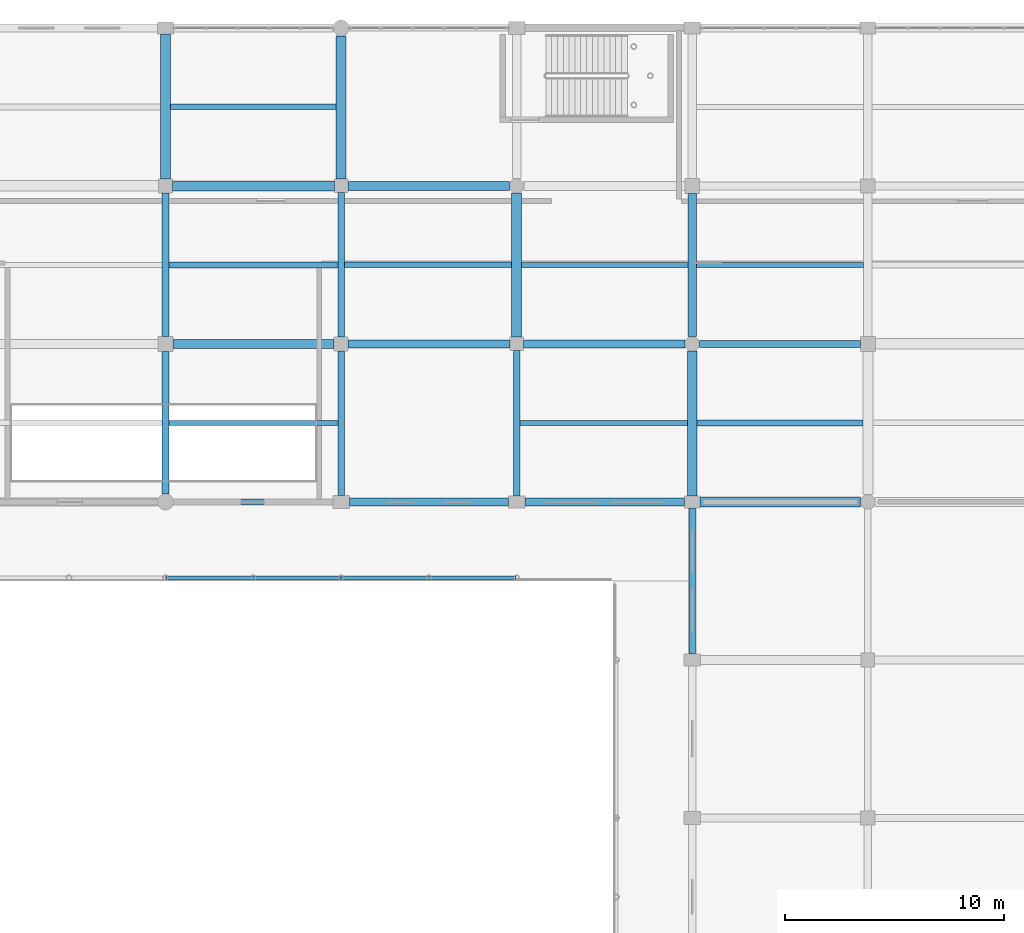
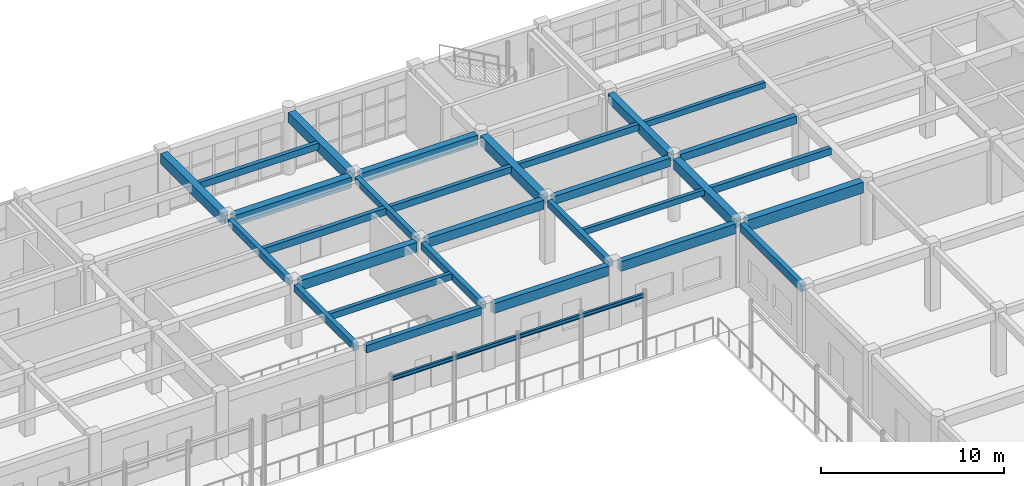
# One storey, part 101 of 160: 31 beams.
"""IFC4 building model written with IfcOpenShell, lengths in metres."""

from ifc_helpers import new_model, si_unit, direction, frame, origin, origin_2d, place, context, subcontext, project, spatial, rectangle, i_section, extrude, material, material_profile, profile_set, type_object, element, save


model = new_model("IFC4")

# Units and contexts
model_context = context("Model", 3, precision=1e-05, world=origin(), true_north=direction((0.0, 1.0)))
body_context = subcontext(model_context, "Body", "Model", "MODEL_VIEW")
ifc_project = project(units=[si_unit("LENGTHUNIT", "METRE"), si_unit("AREAUNIT", "SQUARE_METRE"), si_unit("VOLUMEUNIT", "CUBIC_METRE"), si_unit("PLANEANGLEUNIT", "RADIAN"), si_unit("MASSUNIT", "GRAM", prefix="KILO")], contexts=[model_context])

# Site, building, storey
site_placement = place(None, origin())
site = spatial("IfcSite", under=ifc_project, at=site_placement, CompositionType="ELEMENT")
building_placement = place(site_placement, origin())
building = spatial("IfcBuilding", under=site, at=building_placement, Name="Kharva Crest Polytechnic", CompositionType="ELEMENT")
storey_placement = place(building_placement, frame((0.0, 0.0, 4.5)))
storey = spatial("IfcBuildingStorey", under=building, at=storey_placement, Name="L01", CompositionType="ELEMENT", Elevation=4.5)

# Beams
ifc_material_1 = material(Name="Concrete C35/45", Category="concrete")
ifc_material_profile_1 = material_profile(ifc_material_1, rectangle(XDim=0.300048828125, YDim=0.449951171875, at=origin_2d()), Name="RECT 300 X 450")
ifc_profile_set_1 = profile_set([ifc_material_profile_1], Name="Concrete C35/45")
beam_type_1 = type_object("IfcBeamType", Name="BM-RC-300X450", PredefinedType="BEAM", material=ifc_profile_set_1)
beam_1_placement = place(storey_placement, frame((128.800048828125, 107.93994140625, 3.9951171875), z_axis=(0.0, 1.0, 0.0), x_axis=(-1.0, 0.0, 0.0)))
element("IfcBeam", 1, at=beam_1_placement, inside=storey, type_object=beam_type_1, Name="L01 Girder 17/Q-R", PredefinedType="BEAM", context=body_context, shape_type="SweptSolid", body=[
    extrude(rectangle(XDim=0.300048828125, YDim=0.449951171875, at=origin_2d()), origin(), (0.0, 0.0, 1.0), 6.53515625),
])
beam_2_placement = place(storey_placement, frame((136.800048828125, 107.925048828125, 3.9951171875), z_axis=(0.0, 1.0, 0.0), x_axis=(-1.0, 0.0, 0.0)))
element("IfcBeam", 2, at=beam_2_placement, inside=storey, type_object=beam_type_1, Name="L01 Girder 18/Q-R", PredefinedType="BEAM", context=body_context, shape_type="SweptSolid", body=[
    extrude(rectangle(XDim=0.300048828125, YDim=0.449951171875, at=origin_2d()), origin(), (0.0, 0.0, 1.0), 6.56494140625),
])
beam_3_placement = place(storey_placement, frame((144.800048828125, 100.675048828125, 3.9951171875), z_axis=(0.0, 1.0, 0.0), x_axis=(-1.0, 0.0, 0.0)))
element("IfcBeam", 3, at=beam_3_placement, inside=storey, type_object=beam_type_1, Name="L01 Girder 19/P-Q", PredefinedType="BEAM", context=body_context, shape_type="SweptSolid", body=[
    extrude(rectangle(XDim=0.300048828125, YDim=0.449951171875, at=origin_2d()), origin(), (0.0, 0.0, 1.0), 6.614990234375),
])
ifc_material_profile_2 = material_profile(ifc_material_1, rectangle(XDim=0.300048828125, YDim=0.47998046875, at=origin_2d()), Name="RECT 300 X 480")
ifc_profile_set_2 = profile_set([ifc_material_profile_2], Name="Concrete C35/45")
beam_type_2 = type_object("IfcBeamType", Name="BM-RC-300X480", PredefinedType="BEAM", material=ifc_profile_set_2)
beam_4_placement = place(storey_placement, frame((128.800048828125, 100.760009765625, 3.97998046875), z_axis=(0.0, 1.0, 0.0), x_axis=(-1.0, 0.0, 0.0)))
element("IfcBeam", 4, at=beam_4_placement, inside=storey, type_object=beam_type_2, Name="L01 Girder 17/P-Q", PredefinedType="BEAM", context=body_context, shape_type="SweptSolid", body=[
    extrude(rectangle(XDim=0.300048828125, YDim=0.47998046875, at=origin_2d()), origin(), (0.0, 0.0, 1.0), 6.5),
])
beam_5_placement = place(storey_placement, frame((136.800048828125, 100.699951171875, 3.97998046875), z_axis=(0.0, 1.0, 0.0), x_axis=(-1.0, 0.0, 0.0)))
element("IfcBeam", 5, at=beam_5_placement, inside=storey, type_object=beam_type_2, Name="L01 Girder 18/P-Q", PredefinedType="BEAM", context=body_context, shape_type="SweptSolid", body=[
    extrude(rectangle(XDim=0.300048828125, YDim=0.47998046875, at=origin_2d()), origin(), (0.0, 0.0, 1.0), 6.574951171875),
])
ifc_material_profile_3 = material_profile(ifc_material_1, rectangle(XDim=0.320068359375, YDim=0.5, at=origin_2d()), Name="RECT 320 X 500")
ifc_profile_set_3 = profile_set([ifc_material_profile_3], Name="Concrete C35/45")
beam_type_3 = type_object("IfcBeamType", Name="BM-RC-320X500", PredefinedType="BEAM", material=ifc_profile_set_3)
beam_6_placement = place(storey_placement, frame((153.1298828125, 107.60009765625, 3.969970703125), z_axis=(1.0, 0.0, 0.0), x_axis=(0.0, 1.0, 0.0)))
element("IfcBeam", 6, at=beam_6_placement, inside=storey, type_object=beam_type_3, Name="L01 Beam Q/20-21", PredefinedType="BEAM", context=body_context, shape_type="SweptSolid", body=[
    extrude(rectangle(XDim=0.320068359375, YDim=0.5, at=origin_2d()), origin(), (0.0, 0.0, 1.0), 7.330078125),
])
ifc_material_profile_4 = material_profile(ifc_material_1, rectangle(XDim=0.35009765625, YDim=0.550048828125, at=origin_2d()), Name="RECT 350 X 550")
ifc_profile_set_4 = profile_set([ifc_material_profile_4], Name="Concrete C35/45")
beam_type_4 = type_object("IfcBeamType", Name="BM-RC-350X550", PredefinedType="BEAM", material=ifc_profile_set_4)
beam_7_placement = place(storey_placement, frame((145.110107421875, 107.60009765625, 3.945068359375), z_axis=(1.0, 0.0, 0.0), x_axis=(0.0, 1.0, 0.0)))
element("IfcBeam", 7, at=beam_7_placement, inside=storey, type_object=beam_type_4, Name="L01 Beam Q/19-20", PredefinedType="BEAM", context=body_context, shape_type="SweptSolid", body=[
    extrude(rectangle(XDim=0.35009765625, YDim=0.550048828125, at=origin_2d()), origin(), (0.0, 0.0, 1.0), 7.35986328125),
])
ifc_material_profile_5 = material_profile(ifc_material_1, rectangle(XDim=0.3798828125, YDim=0.60009765625, at=origin_2d()), Name="RECT 380 X 600")
ifc_profile_set_5 = profile_set([ifc_material_profile_5], Name="Concrete C35/45")
beam_type_5 = type_object("IfcBeamType", Name="BM-RC-380X600", PredefinedType="BEAM", material=ifc_profile_set_5)
beam_8_placement = place(storey_placement, frame((137.125, 107.60009765625, 3.919921875), z_axis=(1.0, 0.0, 0.0), x_axis=(0.0, 1.0, 0.0)))
element("IfcBeam", 8, at=beam_8_placement, inside=storey, type_object=beam_type_5, Name="L01 Beam Q/18-19", PredefinedType="BEAM", context=body_context, shape_type="SweptSolid", body=[
    extrude(rectangle(XDim=0.3798828125, YDim=0.60009765625, at=origin_2d()), origin(), (0.0, 0.0, 1.0), 7.364990234375),
])
ifc_material_profile_6 = material_profile(ifc_material_1, rectangle(XDim=0.39990234375, YDim=0.6201171875, at=origin_2d()), Name="RECT 400 X 620")
ifc_profile_set_6 = profile_set([ifc_material_profile_6], Name="Concrete C35/45")
beam_type_6 = type_object("IfcBeamType", Name="BM-RC-400X620", PredefinedType="BEAM", material=ifc_profile_set_6)
beam_9_placement = place(storey_placement, frame((152.800048828125, 107.929931640625, 3.909912109375), z_axis=(0.0, 1.0, 0.0), x_axis=(-1.0, 0.0, 0.0)))
element("IfcBeam", 9, at=beam_9_placement, inside=storey, type_object=beam_type_6, Name="L01 Girder 20/Q-R", PredefinedType="BEAM", context=body_context, shape_type="SweptSolid", body=[
    extrude(rectangle(XDim=0.39990234375, YDim=0.6201171875, at=origin_2d()), origin(), (0.0, 0.0, 1.0), 6.530029296875),
])
ifc_material_profile_7 = material_profile(ifc_material_1, rectangle(XDim=0.39990234375, YDim=0.64990234375, at=origin_2d()), Name="RECT 400 X 650")
ifc_profile_set_7 = profile_set([ifc_material_profile_7], Name="Concrete C35/45")
beam_type_7 = type_object("IfcBeamType", Name="BM-RC-400X650", PredefinedType="BEAM", material=ifc_profile_set_7)
beam_10_placement = place(storey_placement, frame((129.139892578125, 107.60009765625, 3.89501953125), z_axis=(1.0, 0.0, 0.0), x_axis=(0.0, 1.0, 0.0)))
element("IfcBeam", 10, at=beam_10_placement, inside=storey, type_object=beam_type_7, Name="L01 Beam Q/17-18", PredefinedType="BEAM", context=body_context, shape_type="SweptSolid", body=[
    extrude(rectangle(XDim=0.39990234375, YDim=0.64990234375, at=origin_2d()), origin(), (0.0, 0.0, 1.0), 7.335205078125),
])
ifc_material_profile_8 = material_profile(ifc_material_1, rectangle(XDim=0.419921875, YDim=0.659912109375, at=origin_2d()), Name="RECT 420 X 660")
ifc_profile_set_8 = profile_set([ifc_material_profile_8], Name="Concrete C35/45")
beam_type_8 = type_object("IfcBeamType", Name="BM-RC-420X660", PredefinedType="BEAM", material=ifc_profile_set_8)
beam_11_placement = place(storey_placement, frame((137.110107421875, 114.800048828125, 3.889892578125), z_axis=(1.0, 0.0, 0.0), x_axis=(0.0, 1.0, 0.0)))
element("IfcBeam", 11, at=beam_11_placement, inside=storey, type_object=beam_type_8, Name="L01 Beam R/18-19", PredefinedType="BEAM", context=body_context, shape_type="SweptSolid", body=[
    extrude(rectangle(XDim=0.419921875, YDim=0.659912109375, at=origin_2d()), origin(), (0.0, 0.0, 1.0), 7.35986328125),
])
ifc_material_profile_9 = material_profile(ifc_material_1, rectangle(XDim=0.449951171875, YDim=0.679931640625, at=origin_2d()), Name="RECT 450 X 680")
ifc_profile_set_9 = profile_set([ifc_material_profile_9], Name="Concrete C35/45")
beam_type_9 = type_object("IfcBeamType", Name="BM-RC-450X680", PredefinedType="BEAM", material=ifc_profile_set_9)
beam_12_placement = place(storey_placement, frame((128.800048828125, 115.125, 3.8798828125), z_axis=(0.0, 1.0, 0.0), x_axis=(-1.0, 0.0, 0.0)))
element("IfcBeam", 12, at=beam_12_placement, inside=storey, type_object=beam_type_9, Name="L01 Girder 17/R-S", PredefinedType="BEAM", context=body_context, shape_type="SweptSolid", body=[
    extrude(rectangle(XDim=0.449951171875, YDim=0.679931640625, at=origin_2d()), origin(), (0.0, 0.0, 1.0), 6.60009765625),
])
beam_13_placement = place(storey_placement, frame((136.800048828125, 115.110107421875, 3.8798828125), z_axis=(0.0, 1.0, 0.0), x_axis=(-1.0, 0.0, 0.0)))
element("IfcBeam", 13, at=beam_13_placement, inside=storey, type_object=beam_type_9, Name="L01 Girder 18/R-S", PredefinedType="BEAM", context=body_context, shape_type="SweptSolid", body=[
    extrude(rectangle(XDim=0.449951171875, YDim=0.679931640625, at=origin_2d()), origin(), (0.0, 0.0, 1.0), 6.52978515625),
])
beam_14_placement = place(storey_placement, frame((144.800048828125, 107.909912109375, 3.8798828125), z_axis=(0.0, 1.0, 0.0), x_axis=(-1.0, 0.0, 0.0)))
element("IfcBeam", 14, at=beam_14_placement, inside=storey, type_object=beam_type_9, Name="L01 Girder 19/Q-R", PredefinedType="BEAM", context=body_context, shape_type="SweptSolid", body=[
    extrude(rectangle(XDim=0.449951171875, YDim=0.679931640625, at=origin_2d()), origin(), (0.0, 0.0, 1.0), 6.56005859375),
])
beam_15_placement = place(storey_placement, frame((152.800048828125, 100.675048828125, 3.8798828125), z_axis=(0.0, 1.0, 0.0), x_axis=(-1.0, 0.0, 0.0)))
element("IfcBeam", 15, at=beam_15_placement, inside=storey, type_object=beam_type_9, Name="L01 Girder 20/P-Q", PredefinedType="BEAM", context=body_context, shape_type="SweptSolid", body=[
    extrude(rectangle(XDim=0.449951171875, YDim=0.679931640625, at=origin_2d()), origin(), (0.0, 0.0, 1.0), 6.594970703125),
])
ifc_material_profile_10 = material_profile(ifc_material_1, rectangle(XDim=0.449951171875, YDim=0.719970703125, at=origin_2d()), Name="RECT 450 X 720")
ifc_profile_set_10 = profile_set([ifc_material_profile_10], Name="Concrete C35/45")
beam_type_10 = type_object("IfcBeamType", Name="BM-RC-450X720", PredefinedType="BEAM", material=ifc_profile_set_10)
beam_16_placement = place(storey_placement, frame((153.159912109375, 100.39990234375, 3.860107421875), z_axis=(1.0, 0.0, 0.0), x_axis=(0.0, 1.0, 0.0)))
element("IfcBeam", 16, at=beam_16_placement, inside=storey, type_object=beam_type_10, Name="L01 Beam P/20-21", PredefinedType="BEAM", context=body_context, shape_type="SweptSolid", body=[
    extrude(rectangle(XDim=0.449951171875, YDim=0.719970703125, at=origin_2d()), origin(), (0.0, 0.0, 1.0), 7.31005859375),
])
beam_17_placement = place(storey_placement, frame((129.125, 114.800048828125, 3.860107421875), z_axis=(1.0, 0.0, 0.0), x_axis=(0.0, 1.0, 0.0)))
element("IfcBeam", 17, at=beam_17_placement, inside=storey, type_object=beam_type_10, Name="L01 Beam R/17-18", PredefinedType="BEAM", context=body_context, shape_type="SweptSolid", body=[
    extrude(rectangle(XDim=0.449951171875, YDim=0.719970703125, at=origin_2d()), origin(), (0.0, 0.0, 1.0), 7.364990234375),
])
ifc_material_2 = material(Name="Steel S355", Category="steel")
ifc_material_profile_11 = material_profile(ifc_material_2, i_section(OverallWidth=0.14794921875, OverallDepth=0.26611328125, WebThickness=0.007568359375, FlangeThickness=0.012939453125, at=origin_2d()), Name="W250X44.8")
ifc_profile_set_11 = profile_set([ifc_material_profile_11], Name="Steel S355")
beam_type_11 = type_object("IfcBeamType", Name="BM-STL-W250X44", PredefinedType="SPANDREL", material=ifc_profile_set_11)
for number, where, z_axis, x_axis, name in (
    (18, (128.820068359375, 96.949951171875, 4.156982421875), (1.0, 0.0, 0.0), (0.0, 1.0, 0.0), "L01 North Veranda Beam 11"),
    (19, (136.820068359375, 96.949951171875, 4.156982421875), (1.0, 0.0, 0.0), (0.0, 1.0, 0.0), "L01 North Veranda Beam 12"),
):
    element("IfcBeam", number, at=place(storey_placement, frame(where, z_axis=z_axis, x_axis=x_axis)), inside=storey, type_object=beam_type_11, Name=name, PredefinedType="SPANDREL", context=body_context, shape_type="SweptSolid", body=[
        extrude(i_section(OverallWidth=0.14794921875, OverallDepth=0.26611328125, WebThickness=0.007568359375, FlangeThickness=0.012939453125, at=origin_2d()), origin(), (0.0, 0.0, 1.0), 7.9599609375),
    ])
ifc_material_profile_12 = material_profile(ifc_material_1, rectangle(XDim=0.219970703125, YDim=0.3798828125, at=origin_2d()), Name="RECT 220 X 380")
ifc_profile_set_12 = profile_set([ifc_material_profile_12], Name="Concrete C35/45")
beam_type_12 = type_object("IfcBeamType", Name="JS-RC-220X380", PredefinedType="JOIST", material=ifc_profile_set_12)
beam_18_placement = place(storey_placement, frame((144.949951171875, 104.0, 4.030029296875), z_axis=(1.0, 0.0, 0.0), x_axis=(0.0, 1.0, 0.0)))
element("IfcBeam", 20, at=beam_18_placement, inside=storey, type_object=beam_type_12, Name="L01 Floor Joist 21", PredefinedType="JOIST", context=body_context, shape_type="SweptSolid", body=[
    extrude(rectangle(XDim=0.219970703125, YDim=0.3798828125, at=origin_2d()), origin(), (0.0, 0.0, 1.0), 7.625),
])
beam_19_placement = place(storey_placement, frame((153.0, 111.199951171875, 4.030029296875), z_axis=(1.0, 0.0, 0.0), x_axis=(0.0, 1.0, 0.0)))
element("IfcBeam", 21, at=beam_19_placement, inside=storey, type_object=beam_type_12, Name="L01 Floor Joist 41", PredefinedType="JOIST", context=body_context, shape_type="SweptSolid", body=[
    extrude(rectangle(XDim=0.219970703125, YDim=0.3798828125, at=origin_2d()), origin(), (0.0, 0.0, 1.0), 7.60009765625),
])
ifc_material_profile_13 = material_profile(ifc_material_1, rectangle(XDim=0.239990234375, YDim=0.419921875, at=origin_2d()), Name="RECT 240 X 420")
ifc_profile_set_13 = profile_set([ifc_material_profile_13], Name="Concrete C35/45")
beam_type_13 = type_object("IfcBeamType", Name="JS-RC-240X420", PredefinedType="JOIST", material=ifc_profile_set_13)
beam_20_placement = place(storey_placement, frame((128.949951171875, 104.0, 4.010009765625), z_axis=(1.0, 0.0, 0.0), x_axis=(0.0, 1.0, 0.0)))
element("IfcBeam", 22, at=beam_20_placement, inside=storey, type_object=beam_type_13, Name="L01 Floor Joist 20", PredefinedType="JOIST", context=body_context, shape_type="SweptSolid", body=[
    extrude(rectangle(XDim=0.239990234375, YDim=0.419921875, at=origin_2d()), origin(), (0.0, 0.0, 1.0), 7.699951171875),
])
beam_21_placement = place(storey_placement, frame((145.02490234375, 111.199951171875, 4.010009765625), z_axis=(1.0, 0.0, 0.0), x_axis=(0.0, 1.0, 0.0)))
element("IfcBeam", 23, at=beam_21_placement, inside=storey, type_object=beam_type_13, Name="L01 Floor Joist 40", PredefinedType="JOIST", context=body_context, shape_type="SweptSolid", body=[
    extrude(rectangle(XDim=0.239990234375, YDim=0.419921875, at=origin_2d()), origin(), (0.0, 0.0, 1.0), 7.5751953125),
])
ifc_material_profile_14 = material_profile(ifc_material_1, rectangle(XDim=0.25, YDim=0.43994140625, at=origin_2d()), Name="RECT 250 X 440")
ifc_profile_set_14 = profile_set([ifc_material_profile_14], Name="Concrete C35/45")
beam_type_14 = type_object("IfcBeamType", Name="JS-RC-250X440", PredefinedType="JOIST", material=ifc_profile_set_14)
beam_22_placement = place(storey_placement, frame((136.949951171875, 111.199951171875, 4.0), z_axis=(1.0, 0.0, 0.0), x_axis=(0.0, 1.0, 0.0)))
element("IfcBeam", 24, at=beam_22_placement, inside=storey, type_object=beam_type_14, Name="L01 Floor Joist 39", PredefinedType="JOIST", context=body_context, shape_type="SweptSolid", body=[
    extrude(rectangle(XDim=0.25, YDim=0.43994140625, at=origin_2d()), origin(), (0.0, 0.0, 1.0), 7.625),
])
beam_23_placement = place(storey_placement, frame((129.02490234375, 118.39990234375, 4.0), z_axis=(1.0, 0.0, 0.0), x_axis=(0.0, 1.0, 0.0)))
element("IfcBeam", 25, at=beam_23_placement, inside=storey, type_object=beam_type_14, Name="L01 Floor Joist 51", PredefinedType="JOIST", context=body_context, shape_type="SweptSolid", body=[
    extrude(rectangle(XDim=0.25, YDim=0.43994140625, at=origin_2d()), origin(), (0.0, 0.0, 1.0), 7.550048828125),
])
ifc_material_profile_15 = material_profile(ifc_material_1, rectangle(XDim=0.260009765625, YDim=0.4599609375, at=origin_2d()), Name="RECT 260 X 460")
ifc_profile_set_15 = profile_set([ifc_material_profile_15], Name="Concrete C35/45")
beam_type_15 = type_object("IfcBeamType", Name="JS-RC-260X460", PredefinedType="JOIST", material=ifc_profile_set_15)
beam_24_placement = place(storey_placement, frame((153.02490234375, 104.0, 3.989990234375), z_axis=(1.0, 0.0, 0.0), x_axis=(0.0, 1.0, 0.0)))
element("IfcBeam", 26, at=beam_24_placement, inside=storey, type_object=beam_type_15, Name="L01 Floor Joist 22", PredefinedType="JOIST", context=body_context, shape_type="SweptSolid", body=[
    extrude(rectangle(XDim=0.260009765625, YDim=0.4599609375, at=origin_2d()), origin(), (0.0, 0.0, 1.0), 7.550048828125),
])
beam_25_placement = place(storey_placement, frame((128.949951171875, 111.199951171875, 3.989990234375), z_axis=(1.0, 0.0, 0.0), x_axis=(0.0, 1.0, 0.0)))
element("IfcBeam", 27, at=beam_25_placement, inside=storey, type_object=beam_type_15, Name="L01 Floor Joist 38", PredefinedType="JOIST", context=body_context, shape_type="SweptSolid", body=[
    extrude(rectangle(XDim=0.260009765625, YDim=0.4599609375, at=origin_2d()), origin(), (0.0, 0.0, 1.0), 7.699951171875),
])
ifc_material_profile_16 = material_profile(ifc_material_1, rectangle(XDim=0.280029296875, YDim=0.5, at=origin_2d()), Name="RECT 280 X 500")
ifc_profile_set_16 = profile_set([ifc_material_profile_16], Name="Concrete C35/45")
beam_type_16 = type_object("IfcBeamType", Name="SP-RC-280X500", PredefinedType="SPANDREL", material=ifc_profile_set_16)
beam_26_placement = place(storey_placement, frame((129.159912109375, 100.39990234375, 3.969970703125), z_axis=(1.0, 0.0, 0.0), x_axis=(0.0, 1.0, 0.0)))
element("IfcBeam", 28, at=beam_26_placement, inside=storey, type_object=beam_type_16, Name="L01 Beam P/17-18", PredefinedType="SPANDREL", context=body_context, shape_type="SweptSolid", body=[
    extrude(rectangle(XDim=0.280029296875, YDim=0.5, at=origin_2d()), origin(), (0.0, 0.0, 1.0), 7.26513671875),
])
ifc_material_profile_17 = material_profile(ifc_material_1, rectangle(XDim=0.300048828125, YDim=0.52001953125, at=origin_2d()), Name="RECT 300 X 520")
ifc_profile_set_17 = profile_set([ifc_material_profile_17], Name="Concrete C35/45")
beam_type_17 = type_object("IfcBeamType", Name="SP-RC-300X520", PredefinedType="SPANDREL", material=ifc_profile_set_17)
beam_27_placement = place(storey_placement, frame((152.800048828125, 93.47509765625, 3.9599609375), z_axis=(0.0, 1.0, 0.0), x_axis=(-1.0, 0.0, 0.0)))
element("IfcBeam", 29, at=beam_27_placement, inside=storey, type_object=beam_type_17, Name="L01 Girder 20/N-P", PredefinedType="SPANDREL", context=body_context, shape_type="SweptSolid", body=[
    extrude(rectangle(XDim=0.300048828125, YDim=0.52001953125, at=origin_2d()), origin(), (0.0, 0.0, 1.0), 6.64990234375),
])
ifc_material_profile_18 = material_profile(ifc_material_1, rectangle(XDim=0.360107421875, YDim=0.64990234375, at=origin_2d()), Name="RECT 360 X 650")
ifc_profile_set_18 = profile_set([ifc_material_profile_18], Name="Concrete C35/45")
beam_type_18 = type_object("IfcBeamType", Name="SP-RC-360X650", PredefinedType="SPANDREL", material=ifc_profile_set_18)
beam_28_placement = place(storey_placement, frame((137.175048828125, 100.39990234375, 3.89501953125), z_axis=(1.0, 0.0, 0.0), x_axis=(0.0, 1.0, 0.0)))
element("IfcBeam", 30, at=beam_28_placement, inside=storey, type_object=beam_type_18, Name="L01 Beam P/18-19", PredefinedType="SPANDREL", context=body_context, shape_type="SweptSolid", body=[
    extrude(rectangle(XDim=0.360107421875, YDim=0.64990234375, at=origin_2d()), origin(), (0.0, 0.0, 1.0), 7.25),
])
beam_29_placement = place(storey_placement, frame((145.175048828125, 100.39990234375, 3.89501953125), z_axis=(1.0, 0.0, 0.0), x_axis=(0.0, 1.0, 0.0)))
element("IfcBeam", 31, at=beam_29_placement, inside=storey, type_object=beam_type_18, Name="L01 Beam P/19-20", PredefinedType="SPANDREL", context=body_context, shape_type="SweptSolid", body=[
    extrude(rectangle(XDim=0.360107421875, YDim=0.64990234375, at=origin_2d()), origin(), (0.0, 0.0, 1.0), 7.264892578125),
])

save(model, "model.ifc")
